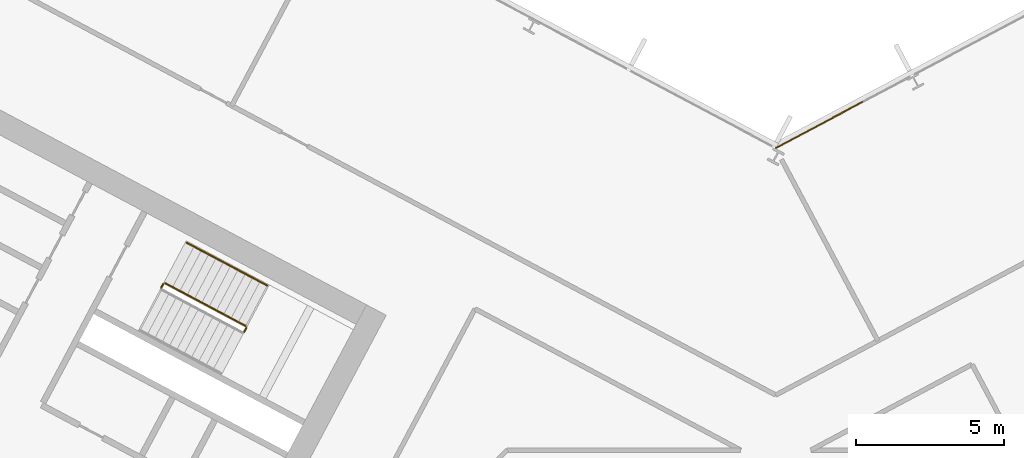
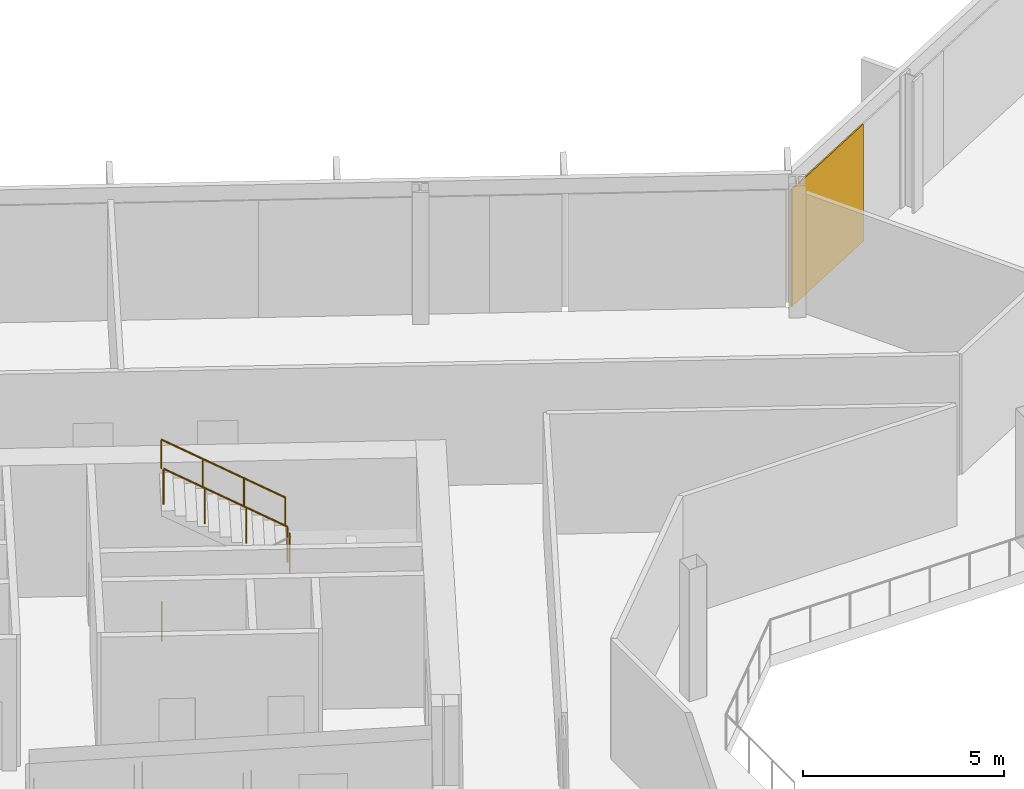
# One storey, part 23 of 28: 4 railings, 1 covering, 1 element without a shape of its own.
"""IFC4 building model written with IfcOpenShell, lengths in metres."""

import ifcopenshell
import ifcopenshell.guid

model = None  # the IFC model being written
_history = None  # IfcOwnerHistory: only IFC2X3 demands one
_inside = {}  # id of a spatial element -> (the spatial element, [elements in it])
_under = {}  # id of a project, library or spatial element -> (it, [spatial elements below it])
_declared = {}  # id of a project -> (the project, [libraries it declares])
_typed = {}  # id of a type object -> (the type object, [elements of that type])
_made_of = {}  # id of a material, layer set ... -> (it, [elements and type objects made of it])


def new_model(schema):
    """Start an empty IFC model of exactly this schema.

    Asked for "IFC4X3", IfcOpenShell would pick the latest addendum, in which some entities
    have other attributes; the version numbers below select the first issue.
    IFC2X3 requires an IfcOwnerHistory on every rooted entity: one is made here for all.
    """
    global model, _history
    if schema == "IFC4X3":
        model = ifcopenshell.file(schema_version=(4, 3, 0, 0))
    else:
        model = ifcopenshell.file(schema=schema)
    _inside.clear()
    _under.clear()
    _declared.clear()
    _typed.clear()
    _made_of.clear()
    _history = None
    if model.schema == "IFC2X3":
        org = make("IfcOrganization", Name="unknown")
        user = make(
            "IfcPersonAndOrganization",
            ThePerson=make("IfcPerson", FamilyName="unknown"),
            TheOrganization=org,
        )
        app = make(
            "IfcApplication",
            ApplicationDeveloper=org,
            Version="unknown",
            ApplicationFullName="unknown",
            ApplicationIdentifier="unknown",
        )
        _history = make(
            "IfcOwnerHistory",
            OwningUser=user,
            OwningApplication=app,
            ChangeAction="ADDED",
            CreationDate=0,
        )
    return model


def make(cls, **values):
    """One entity of the class cls with the attributes given. An attribute that is None is left unset."""
    return model.create_entity(
        cls, **{name: value for name, value in values.items() if value is not None}
    )


def rooted(cls, **values):
    """An entity with a GlobalId (a new one), such as an element, a storey or a relation."""
    return make(cls, GlobalId=ifcopenshell.guid.new(), OwnerHistory=_history, **values)


def si_unit(unit_type, name, prefix=None):
    """IfcSIUnit, for example si_unit("LENGTHUNIT", "METRE", prefix="MILLI")."""
    return make("IfcSIUnit", UnitType=unit_type, Prefix=prefix, Name=name)


def assignment(units):
    """IfcUnitAssignment: the units of a project."""
    return None if units is None else make("IfcUnitAssignment", Units=units)


def point(xyz):
    """IfcCartesianPoint."""
    return None if xyz is None else make("IfcCartesianPoint", Coordinates=xyz)


def direction(xyz):
    """IfcDirection."""
    return None if xyz is None else make("IfcDirection", DirectionRatios=xyz)


def frame(location, z_axis=None, x_axis=None):
    """IfcAxis2Placement3D, a coordinate frame: its origin and axes. An axis left out is left unset."""
    return make(
        "IfcAxis2Placement3D",
        Location=point(location),
        Axis=direction(z_axis),
        RefDirection=direction(x_axis),
    )


def frame_2d(location, x_axis=None):
    """IfcAxis2Placement2D, a coordinate frame in the plane: its origin and x axis."""
    return make(
        "IfcAxis2Placement2D", Location=point(location), RefDirection=direction(x_axis)
    )


def origin():
    """The frame at (0, 0, 0) with its axes left unset."""
    return frame((0.0, 0.0, 0.0))


def origin_2d():
    """The frame at (0, 0) in the plane with its x axis left unset."""
    return frame_2d((0.0, 0.0))


def place(relative_to, where):
    """IfcLocalPlacement: puts the frame where relative to a parent placement (None: the world)."""
    return make(
        "IfcLocalPlacement", PlacementRelTo=relative_to, RelativePlacement=where
    )


def context(
    kind, dimensions, precision=None, world=None, true_north=None, identifier=None
):
    """IfcGeometricRepresentationContext, for example the 3D "Model" context."""
    return make(
        "IfcGeometricRepresentationContext",
        ContextIdentifier=identifier,
        ContextType=kind,
        CoordinateSpaceDimension=dimensions,
        Precision=precision,
        WorldCoordinateSystem=world,
        TrueNorth=true_north,
    )


def subcontext(parent, identifier, kind, view, scale=None):
    """IfcGeometricRepresentationSubContext, for example "Body" below "Model"."""
    return make(
        "IfcGeometricRepresentationSubContext",
        ContextIdentifier=identifier,
        ContextType=kind,
        ParentContext=parent,
        TargetScale=scale,
        TargetView=view,
    )


def project(units=None, contexts=None):
    """IfcProject with its units and contexts."""
    return rooted(
        "IfcProject",
        Name="project",
        RepresentationContexts=contexts,
        UnitsInContext=assignment(units),
    )


def spatial(cls, under=None, at=None, **own):
    """A site, building, storey or space (cls), placed at a placement, below another one or the project."""
    s = rooted(cls, ObjectPlacement=at, **own)
    if under is not None:
        _under.setdefault(under.id(), (under, []))[1].append(s)
    return s


def polyline(points):
    """IfcPolyline through the points."""
    return make("IfcPolyline", Points=[point(p) for p in points])


def profile(cls, at=None, kind="AREA", **sizes):
    """A parametric profile (cls). Its sizes go by their IFC names, for example OverallWidth=200.0."""
    return make(cls, ProfileType=kind, Position=at, **sizes)


def rectangle(**sizes):
    """IfcRectangleProfileDef."""
    return profile("IfcRectangleProfileDef", **sizes)


def outline(outer, holes=None, kind="AREA"):
    """IfcArbitraryClosedProfileDef: a profile drawn as a closed curve; with holes, ...WithVoids."""
    if holes is None:
        return make("IfcArbitraryClosedProfileDef", ProfileType=kind, OuterCurve=outer)
    return make(
        "IfcArbitraryProfileDefWithVoids",
        ProfileType=kind,
        OuterCurve=outer,
        InnerCurves=holes,
    )


def extrude(swept, where, along, depth):
    """IfcExtrudedAreaSolid: the profile swept, set in the frame where, extruded along a direction by depth."""
    return make(
        "IfcExtrudedAreaSolid",
        SweptArea=swept,
        Position=where,
        ExtrudedDirection=direction(along),
        Depth=depth,
    )


def shape(context_of_items, identifier, shape_type, items):
    """IfcShapeRepresentation: the items that make up one representation, for example the "Body"."""
    return make(
        "IfcShapeRepresentation",
        ContextOfItems=context_of_items,
        RepresentationIdentifier=identifier,
        RepresentationType=shape_type,
        Items=items,
    )


def material(Name=None, Category=None):
    """IfcMaterial."""
    return make("IfcMaterial", Name=Name, Category=Category)


def layer(
    of_material, thickness, ventilated=None, Name=None, Category=None, Priority=None
):
    """IfcMaterialLayer: one layer of a wall or slab, of a material (None: an air gap)."""
    return make(
        "IfcMaterialLayer",
        Material=of_material,
        LayerThickness=thickness,
        IsVentilated=ventilated,
        Name=Name,
        Category=Category,
        Priority=Priority,
    )


def layer_set(layers, Name=None):
    """IfcMaterialLayerSet."""
    return make("IfcMaterialLayerSet", MaterialLayers=layers, LayerSetName=Name)


def made_of(thing, what):
    """Note that an element or type object is made of a material, layer set ...; save() writes the relation."""
    if what is not None:
        _made_of.setdefault(what.id(), (what, []))[1].append(thing)
    return thing


def type_object(cls, material=None, **own):
    """A type object (cls), such as IfcWallType, which elements share."""
    return made_of(rooted(cls, **own), material)


def element(
    cls,
    number,
    at=None,
    inside=None,
    cuts=None,
    type_object=None,
    material=None,
    context=None,
    identifier="Body",
    shape_type=None,
    held_by="IfcProductDefinitionShape",
    body=None,
    shapes=None,
    **own,
):
    """One element of the class cls, such as IfcWall. Its Tag is "e" and its number.

    at: its placement. inside: the storey or other place that contains it. cuts: it is an
    opening in that element (IfcRelVoidsElement). A single representation is given by context,
    identifier, shape_type and body (its items); several are given by shapes. held_by: the class
    of the entity that holds the representations. save() writes the other relations.
    """
    e = rooted(cls, Tag="e%d" % number, ObjectPlacement=at, **own)
    if body is not None:
        shapes = [shape(context, identifier, shape_type, body)]
    if shapes is not None:
        e.Representation = make(held_by, Representations=shapes)
    if inside is not None:
        _inside.setdefault(inside.id(), (inside, []))[1].append(e)
    if cuts is not None:
        rooted(
            "IfcRelVoidsElement", RelatingBuildingElement=cuts, RelatedOpeningElement=e
        )
    if type_object is not None:
        _typed.setdefault(type_object.id(), (type_object, []))[1].append(e)
    return made_of(e, material)


def aggregate(whole, parts):
    """IfcRelAggregates: a whole, such as a stair, and the parts it consists of."""
    return rooted("IfcRelAggregates", RelatingObject=whole, RelatedObjects=parts)


def save(model, path):
    """Write the relations noted so far, then the file.

    IfcRelAggregates (storeys below a building ...), IfcRelContainedInSpatialStructure (elements
    in a storey), IfcRelDefinesByType, IfcRelAssociatesMaterial and IfcRelDeclares: one each for
    every whole, place, type object, material and project.
    """
    for whole, parts in _under.values():
        aggregate(whole, parts)
    for where, things in _inside.values():
        rooted(
            "IfcRelContainedInSpatialStructure",
            RelatedElements=things,
            RelatingStructure=where,
        )
    for kind, things in _typed.values():
        rooted("IfcRelDefinesByType", RelatedObjects=things, RelatingType=kind)
    for what, things in _made_of.values():
        rooted("IfcRelAssociatesMaterial", RelatedObjects=things, RelatingMaterial=what)
    for by, libraries in _declared.values():
        rooted("IfcRelDeclares", RelatingContext=by, RelatedDefinitions=libraries)
    model.write(path)


model = new_model("IFC4")

# Units and contexts
model_context = context("Model", 3, precision=1e-05, world=origin(), true_north=direction((0.0, 1.0)))
body_context = subcontext(model_context, "Body", "Model", "MODEL_VIEW")
ifc_project = project(units=[si_unit("LENGTHUNIT", "METRE"), si_unit("AREAUNIT", "SQUARE_METRE"), si_unit("VOLUMEUNIT", "CUBIC_METRE"), si_unit("PLANEANGLEUNIT", "RADIAN"), si_unit("MASSUNIT", "GRAM", prefix="KILO")], contexts=[model_context])

# Site, building, storey
site_placement = place(None, origin())
site = spatial("IfcSite", under=ifc_project, at=site_placement, CompositionType="ELEMENT")
building_placement = place(site_placement, origin())
building = spatial("IfcBuilding", under=site, at=building_placement, Name="Cormorant Relay Tower", CompositionType="ELEMENT")
storey_placement = place(building_placement, frame((0.0, 0.0, 146.199951171875)))
storey = spatial("IfcBuildingStorey", under=building, at=storey_placement, Name="L30", CompositionType="ELEMENT", Elevation=146.199951171875)

# Curtain wall, covering
ifc_material_1 = material(Name="Aluminium 6063-T6 anodised bronze", Category="aluminium")
ifc_layer_1 = layer(ifc_material_1, 0.199951171875)
ifc_layer_set_1 = layer_set([ifc_layer_1], Name="CW1 unitised bronze curtain wall with vertical fins")
curtain_wall_type = type_object("IfcCurtainWallType", Name="CW1 unitised bronze curtain wall with vertical fins", PredefinedType="NOTDEFINED", material=ifc_layer_set_1)
curtain_wall_placement = place(storey_placement, origin())
curtain_wall = element("IfcCurtainWall", 1, at=curtain_wall_placement, inside=storey, type_object=curtain_wall_type, Name="CW1 curtain wall 8", PredefinedType="NOTDEFINED")
ifc_material_2 = material(Name="Pale bronze anodised aluminium insulated panel", Category="aluminium")
ifc_layer_2 = layer(ifc_material_2, 0.0400390625)
ifc_layer_set_2 = layer_set([ifc_layer_2], Name="CW1 pale bronze insulated panel 40")
covering_type = type_object("IfcCoveringType", Name="CW1 pale bronze insulated panel 40", PredefinedType="CLADDING", material=ifc_layer_set_2)
covering_placement = place(storey_placement, frame((1.471435546875, 24.589111328125, 0.0), z_axis=(0.0, 0.0, 1.0), x_axis=(-0.882947592859, -0.469471562786, 0.0)))
covering = element("IfcCovering", 2, at=covering_placement, type_object=covering_type, Name="CW1 panel S10", PredefinedType="CLADDING", context=body_context, shape_type="SweptSolid", body=[
    extrude(rectangle(XDim=3.354248046875, YDim=0.0400390625, at=origin_2d()), origin(), (0.0, 0.0, 1.0), 3.550048828125),
])
aggregate(curtain_wall, [covering])

# Railings
ifc_material_3 = material(Name="Steel ASTM A572 Grade 50 (Fy 345 MPa)", Category="steel")
railing_type_1 = type_object("IfcRailingType", Name="Stair guard 1100", PredefinedType="GUARDRAIL", material=ifc_material_3)
railing_1_placement = place(storey_placement, frame((-17.96337890625, 17.592529296875, 2.0)))
element("IfcRailing", 3, at=railing_1_placement, inside=storey, type_object=railing_type_1, Name="L30 A1 stair guard 2", PredefinedType="GUARDRAIL", context=body_context, shape_type="SweptSolid", body=[
    extrude(outline(polyline([(0.022216796875, 0.00927734375), (0.00927734375, 0.022216796875), (-0.00927734375, 0.022216796875), (-0.022216796875, 0.00927734375), (-0.022216796875, -0.00927734375), (-0.00927734375, -0.022216796875), (0.00927734375, -0.022216796875), (0.022216796875, -0.00927734375), (0.022216796875, 0.00927734375)])), frame((0.0, 0.0, 1.076171875), z_axis=(0.46856034887, 0.8834314911, 0.0), x_axis=(-0.8834314911, 0.46856034887, 0.0)), (0.0, 0.0, 1.0), 0.150146484375),
    extrude(outline(polyline([(0.019287109375, 0.008056640625), (0.008056640625, 0.019287109375), (-0.008056640625, 0.019287109375), (-0.019287109375, 0.008056640625), (-0.019287109375, -0.008056640625), (-0.008056640625, -0.019287109375), (0.008056640625, -0.019287109375), (0.019287109375, -0.008056640625), (0.019287109375, 0.008056640625)])), origin(), (0.0, 0.0, 1.0), 1.052001953125),
    extrude(outline(polyline([(0.019287109375, 0.008056640625), (0.008056640625, 0.019287109375), (-0.008056640625, 0.019287109375), (-0.019287109375, 0.008056640625), (-0.019287109375, -0.008056640625), (-0.008056640625, -0.019287109375), (0.008056640625, -0.019287109375), (0.019287109375, -0.008056640625), (0.019287109375, 0.008056640625)])), frame((0.0703125, 0.132568359375, 0.0)), (0.0, 0.0, 1.0), 1.052001953125),
])
railing_2_placement = place(storey_placement, frame((-17.913818359375, 17.792724609375, 2.166748046875)))
element("IfcRailing", 4, at=railing_2_placement, inside=storey, type_object=railing_type_1, Name="L30 A1 stair guard 3", PredefinedType="GUARDRAIL", context=body_context, shape_type="SweptSolid", body=[
    extrude(outline(polyline([(0.022216796875, 0.00927734375), (0.00927734375, 0.022216796875), (-0.00927734375, 0.022216796875), (-0.022216796875, 0.00927734375), (-0.022216796875, -0.00927734375), (-0.00927734375, -0.022216796875), (0.00927734375, -0.022216796875), (0.022216796875, -0.00927734375), (0.022216796875, 0.00927734375)])), frame((0.0, 0.0, 1.076171875), z_axis=(-0.758734504837, 0.403377838015, 0.511476559549), x_axis=(-0.469427602063, -0.882970965786, 0.0)), (0.0, 0.0, 1.0), 3.584228515625),
    extrude(outline(polyline([(0.019287109375, 0.008056640625), (0.008056640625, 0.019287109375), (-0.008056640625, 0.019287109375), (-0.019287109375, 0.008056640625), (-0.019287109375, -0.008056640625), (-0.008056640625, -0.019287109375), (0.008056640625, -0.019287109375), (0.019287109375, -0.008056640625), (0.019287109375, 0.008056640625)])), origin(), (0.0, 0.0, 1.0), 1.052001953125),
    extrude(outline(polyline([(0.019287109375, 0.008056640625), (0.008056640625, 0.019287109375), (-0.008056640625, 0.019287109375), (-0.019287109375, 0.008056640625), (-0.019287109375, -0.008056640625), (-0.008056640625, -0.019287109375), (0.008056640625, -0.019287109375), (0.019287109375, -0.008056640625), (0.019287109375, 0.008056640625)])), frame((-0.906494140625, 0.48193359375, 0.611083984375)), (0.0, 0.0, 1.0), 1.052001953125),
    extrude(outline(polyline([(0.019287109375, 0.008056640625), (0.008056640625, 0.019287109375), (-0.008056640625, 0.019287109375), (-0.019287109375, 0.008056640625), (-0.019287109375, -0.008056640625), (-0.008056640625, -0.019287109375), (0.008056640625, -0.019287109375), (0.019287109375, -0.008056640625), (0.019287109375, 0.008056640625)])), frame((-1.81298828125, 0.9638671875, 1.22216796875)), (0.0, 0.0, 1.0), 1.052001953125),
    extrude(outline(polyline([(0.019287109375, 0.008056640625), (0.008056640625, 0.019287109375), (-0.008056640625, 0.019287109375), (-0.019287109375, 0.008056640625), (-0.019287109375, -0.008056640625), (-0.008056640625, -0.019287109375), (0.008056640625, -0.019287109375), (0.019287109375, -0.008056640625), (0.019287109375, 0.008056640625)])), frame((-2.719482421875, 1.44580078125, 1.833251953125)), (0.0, 0.0, 1.0), 1.052001953125),
])
railing_3_placement = place(storey_placement, frame((-20.771240234375, 19.08544921875, 0.0)))
element("IfcRailing", 5, at=railing_3_placement, inside=storey, type_object=railing_type_1, Name="L30 A1 stair guard 4", PredefinedType="GUARDRAIL", context=body_context, shape_type="SweptSolid", body=[
    extrude(outline(polyline([(0.022216796875, 0.00927734375), (0.00927734375, 0.022216796875), (-0.00927734375, 0.022216796875), (-0.022216796875, 0.00927734375), (-0.022216796875, -0.00927734375), (-0.00927734375, -0.022216796875), (0.00927734375, -0.022216796875), (0.022216796875, -0.00927734375), (0.022216796875, 0.00927734375)])), frame((0.0, 0.0, 1.076171875), z_axis=(0.469828648786, 0.882757634224, 0.0), x_axis=(-0.882757634224, 0.469828648786, 0.0)), (0.0, 0.0, 1.0), 0.150146484375),
    extrude(outline(polyline([(0.019287109375, 0.008056640625), (0.008056640625, 0.019287109375), (-0.008056640625, 0.019287109375), (-0.019287109375, 0.008056640625), (-0.019287109375, -0.008056640625), (-0.008056640625, -0.019287109375), (0.008056640625, -0.019287109375), (0.019287109375, -0.008056640625), (0.019287109375, 0.008056640625)])), origin(), (0.0, 0.0, 1.0), 1.052001953125),
    extrude(outline(polyline([(0.019287109375, 0.008056640625), (0.008056640625, 0.019287109375), (-0.008056640625, 0.019287109375), (-0.019287109375, 0.008056640625), (-0.019287109375, -0.008056640625), (-0.008056640625, -0.019287109375), (0.008056640625, -0.019287109375), (0.019287109375, -0.008056640625), (0.019287109375, 0.008056640625)])), frame((0.070556640625, 0.132568359375, 0.0)), (0.0, 0.0, 1.0), 1.052001953125),
])
ifc_material_4 = material(Name="Steel ASTM A572 Grade 50 (Fy 345 MPa)", Category="steel")
railing_type_2 = type_object("IfcRailingType", Name="Stair handrail 900", PredefinedType="HANDRAIL", material=ifc_material_4)
railing_4_placement = place(storey_placement, frame((-17.18603515625, 19.1611328125, 2.166748046875)))
element("IfcRailing", 6, at=railing_4_placement, inside=storey, type_object=railing_type_2, Name="L30 A1 stair handrail 2", PredefinedType="HANDRAIL", context=body_context, shape_type="SweptSolid", body=[
    extrude(outline(polyline([(0.022216796875, 0.00927734375), (0.00927734375, 0.022216796875), (-0.00927734375, 0.022216796875), (-0.022216796875, 0.00927734375), (-0.022216796875, -0.00927734375), (-0.00927734375, -0.022216796875), (0.00927734375, -0.022216796875), (0.022216796875, -0.00927734375), (0.022216796875, 0.00927734375)])), frame((0.0, 0.0, 0.8759765625), z_axis=(-0.758713656843, 0.403434867536, 0.511462505542), x_axis=(-0.469489399267, -0.882938108802, 0.0)), (0.0, 0.0, 1.0), 3.584228515625),
    extrude(outline(polyline([(0.019287109375, 0.008056640625), (0.008056640625, 0.019287109375), (-0.008056640625, 0.019287109375), (-0.019287109375, 0.008056640625), (-0.019287109375, -0.008056640625), (-0.008056640625, -0.019287109375), (0.008056640625, -0.019287109375), (0.019287109375, -0.008056640625), (0.019287109375, 0.008056640625)])), origin(), (0.0, 0.0, 1.0), 0.851806640625),
    extrude(outline(polyline([(0.019287109375, 0.008056640625), (0.008056640625, 0.019287109375), (-0.008056640625, 0.019287109375), (-0.019287109375, 0.008056640625), (-0.019287109375, -0.008056640625), (-0.008056640625, -0.019287109375), (0.008056640625, -0.019287109375), (0.019287109375, -0.008056640625), (0.019287109375, 0.008056640625)])), frame((-0.906494140625, 0.48193359375, 0.611083984375)), (0.0, 0.0, 1.0), 0.851806640625),
    extrude(outline(polyline([(0.019287109375, 0.008056640625), (0.008056640625, 0.019287109375), (-0.008056640625, 0.019287109375), (-0.019287109375, 0.008056640625), (-0.019287109375, -0.008056640625), (-0.008056640625, -0.019287109375), (0.008056640625, -0.019287109375), (0.019287109375, -0.008056640625), (0.019287109375, 0.008056640625)])), frame((-1.81298828125, 0.964111328125, 1.22216796875)), (0.0, 0.0, 1.0), 0.851806640625),
    extrude(outline(polyline([(0.019287109375, 0.008056640625), (0.008056640625, 0.019287109375), (-0.008056640625, 0.019287109375), (-0.019287109375, 0.008056640625), (-0.019287109375, -0.008056640625), (-0.008056640625, -0.019287109375), (0.008056640625, -0.019287109375), (0.019287109375, -0.008056640625), (0.019287109375, 0.008056640625)])), frame((-2.719482421875, 1.446044921875, 1.833251953125)), (0.0, 0.0, 1.0), 0.851806640625),
])

save(model, "model.ifc")
